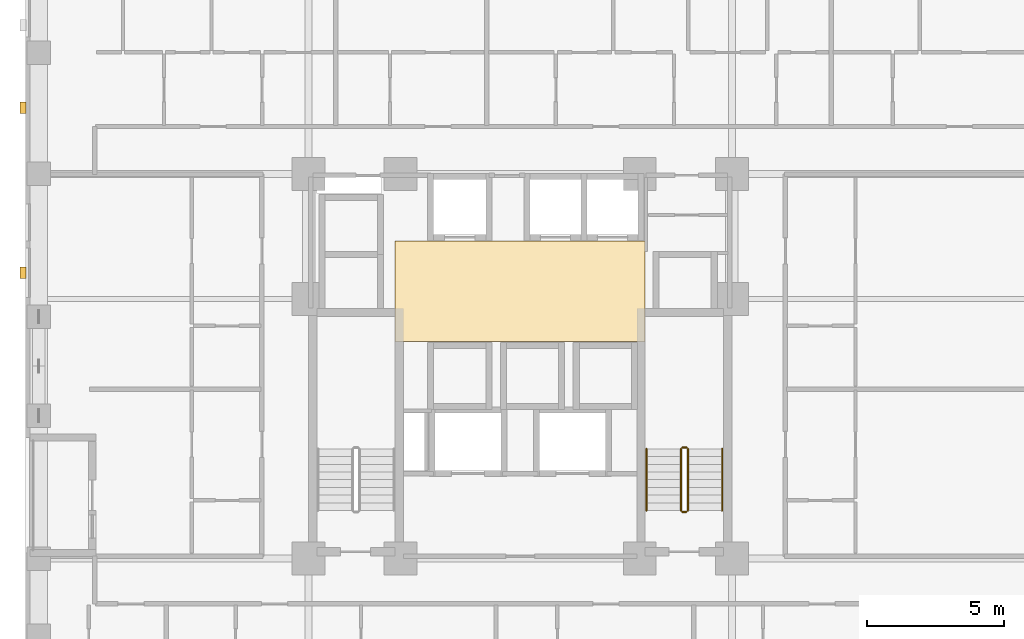
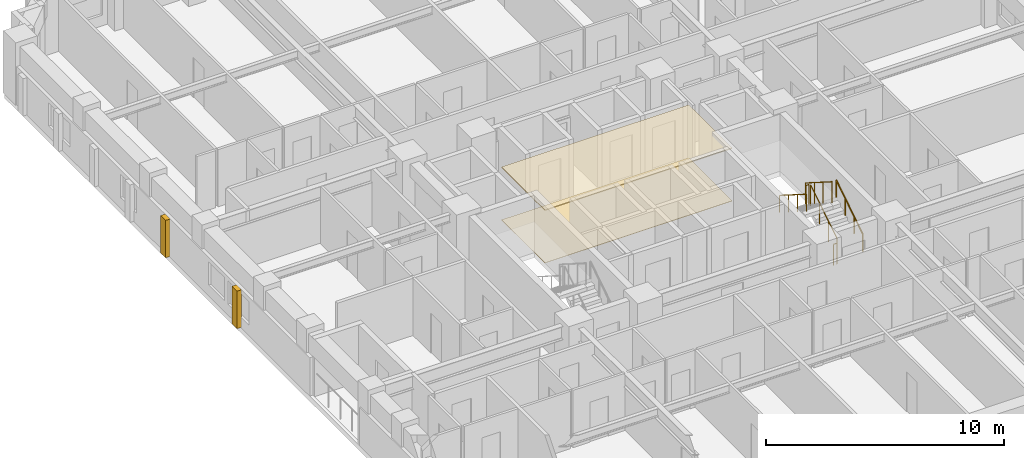
# One storey, part 13 of 14: 6 railings, 4 coverings.
"""IFC4 building model written with IfcOpenShell, lengths in metres."""

from ifc_helpers import new_model, si_unit, derived_unit, direction, frame, origin, origin_2d, place, context, subcontext, project, spatial, polyline, rectangle, circle, outline, extrude, material, layer, layer_set, type_object, element, save


model = new_model("IFC4")

# Units and contexts
model_context = context("Model", 3, precision=1e-05, world=origin(), true_north=direction((0.0, 1.0)))
body_context = subcontext(model_context, "Body", "Model", "MODEL_VIEW")
ifc_project = project(units=[si_unit("LENGTHUNIT", "METRE"), si_unit("AREAUNIT", "SQUARE_METRE"), si_unit("VOLUMEUNIT", "CUBIC_METRE"), si_unit("PLANEANGLEUNIT", "RADIAN"), si_unit("MASSUNIT", "GRAM", prefix="KILO"), derived_unit("THERMALTRANSMITTANCEUNIT", [(si_unit("MASSUNIT", "GRAM", prefix="KILO"), 1), (si_unit("TIMEUNIT", "SECOND"), -3), (si_unit("THERMODYNAMICTEMPERATUREUNIT", "KELVIN"), -1)])], contexts=[model_context])

# Site, building, storey
site_placement = place(None, origin())
site = spatial("IfcSite", under=ifc_project, at=site_placement, CompositionType="ELEMENT")
building_placement = place(site_placement, origin())
building = spatial("IfcBuilding", under=site, at=building_placement, Name="Korrvale Station Residences", CompositionType="ELEMENT")
storey_placement = place(building_placement, frame((0.0, 0.0, 57.800048828125)))
storey = spatial("IfcBuildingStorey", under=building, at=storey_placement, Name="L15", CompositionType="ELEMENT", Elevation=57.800048828125)

# Coverings
ifc_material_1 = material(Name="Perforated acoustic mineral-fibre suspended ceiling", Category="gypsum")
ifc_layer_1 = layer(ifc_material_1, 0.050048828125, Name="Perforated acoustic mineral-fibre suspended ceiling")
ifc_layer_set_1 = layer_set([ifc_layer_1], Name="Perforated acoustic mineral-fibre suspended ceiling")
covering_type_1 = type_object("IfcCoveringType", Name="COV-CLG-AC60", PredefinedType="CEILING", material=ifc_layer_set_1)
covering_1_placement = place(storey_placement, frame((0.0, 0.0, 2.68994140625)))
element("IfcCovering", 1, at=covering_1_placement, inside=storey, type_object=covering_type_1, Name="L15 Elevator Lobby Acoustic Ceiling", PredefinedType="CEILING", context=body_context, shape_type="SweptSolid", body=[
    extrude(outline(polyline([(20.949951171875, 22.89990234375), (30.050048828125, 22.89990234375), (30.050048828125, 26.550048828125), (20.949951171875, 26.550048828125), (20.949951171875, 22.89990234375)])), origin(), (0.0, 0.0, 1.0), 0.050048828125),
])
ifc_material_2 = material(Name="Polished quartz-terrazzo lobby flooring", Category="masonry")
ifc_layer_2 = layer(ifc_material_2, 0.02001953125, Name="Polished quartz-terrazzo lobby flooring")
ifc_layer_set_2 = layer_set([ifc_layer_2], Name="Polished quartz-terrazzo lobby flooring")
covering_type_2 = type_object("IfcCoveringType", Name="COV-FLR-TER20", PredefinedType="FLOORING", material=ifc_layer_set_2)
covering_2_placement = place(storey_placement, origin())
element("IfcCovering", 2, at=covering_2_placement, inside=storey, type_object=covering_type_2, Name="L15 Elevator Lobby Terrazzo Flooring", PredefinedType="FLOORING", context=body_context, shape_type="SweptSolid", body=[
    extrude(outline(polyline([(20.949951171875, 22.89990234375), (30.050048828125, 22.89990234375), (30.050048828125, 26.550048828125), (20.949951171875, 26.550048828125), (20.949951171875, 22.89990234375)])), origin(), (0.0, 0.0, 1.0), 0.02001953125),
])
ifc_material_3 = material(Name="Architectural precast concrete C45/55", Category="concrete")
ifc_layer_3 = layer(ifc_material_3, 0.219970703125, Name="Architectural precast concrete C45/55")
ifc_layer_set_3 = layer_set([ifc_layer_3], Name="Architectural precast concrete C45/55")
covering_type_3 = type_object("IfcCoveringType", Name="COV-PIER-400", PredefinedType="CLADDING", material=ifc_layer_set_3)
for number, where, z_axis, x_axis, name in (
    (3, (7.409912109375, 25.39990234375, 0.02490234375), (0.0, 0.0, 1.0), (0.0, 1.0, 0.0), "L15 Architectural Precast Facade Pier 13"),
    (4, (7.409912109375, 31.39990234375, 0.02490234375), (0.0, 0.0, 1.0), (0.0, 1.0, 0.0), "L15 Architectural Precast Facade Pier 14"),
):
    element("IfcCovering", number, at=place(storey_placement, frame(where, z_axis=z_axis, x_axis=x_axis)), inside=storey, type_object=covering_type_3, Name=name, PredefinedType="CLADDING", context=body_context, shape_type="SweptSolid", body=[
        extrude(rectangle(XDim=0.419921875, YDim=0.219970703125, at=origin_2d()), origin(), (0.0, 0.0, 1.0), 1.925048828125),
    ])

# Railings
ifc_material_4 = material(Name="Brushed stainless-steel continuous stair handrail", Category="steel")
railing_type_1 = type_object("IfcRailingType", Name="RLG-SHND-900", PredefinedType="HANDRAIL", material=ifc_material_4)
railing_1_placement = place(storey_placement, frame((32.85009765625, 16.75, 0.177734375)))
element("IfcRailing", 5, at=railing_1_placement, inside=storey, type_object=railing_type_1, Name="L15 ST-2 stair handrail 1", PredefinedType="HANDRAIL", context=body_context, shape_type="SweptSolid", body=[
    extrude(circle(Radius=0.02392578125, at=origin_2d()), frame((0.0, 0.0, 0.8759765625), z_axis=(0.0, 0.8442293374, 0.53598211339), x_axis=(-1.0, 0.0, 0.0)), (0.0, 0.0, 1.0), 2.6533203125),
    extrude(circle(Radius=0.02099609375, at=origin_2d()), origin(), (0.0, 0.0, 1.0), 0.851806640625),
    extrude(circle(Radius=0.02099609375, at=origin_2d()), frame((0.0, 0.74658203125, 0.47412109375)), (0.0, 0.0, 1.0), 0.851806640625),
    extrude(circle(Radius=0.02099609375, at=origin_2d()), frame((0.0, 1.493408203125, 0.947998046875)), (0.0, 0.0, 1.0), 0.851806640625),
    extrude(circle(Radius=0.02099609375, at=origin_2d()), frame((0.0, 2.239990234375, 1.422119140625)), (0.0, 0.0, 1.0), 0.851806640625),
])
railing_2_placement = place(storey_placement, frame((30.10009765625, 18.989990234375, 1.77783203125)))
element("IfcRailing", 6, at=railing_2_placement, inside=storey, type_object=railing_type_1, Name="L15 ST-2 stair handrail 2", PredefinedType="HANDRAIL", context=body_context, shape_type="SweptSolid", body=[
    extrude(circle(Radius=0.02392578125, at=origin_2d()), frame((0.0, 0.0, 0.8759765625), z_axis=(0.0, -0.8442293374, 0.53598211339), x_axis=(1.0, 0.0, 0.0)), (0.0, 0.0, 1.0), 2.6533203125),
    extrude(circle(Radius=0.02099609375, at=origin_2d()), origin(), (0.0, 0.0, 1.0), 0.851806640625),
    extrude(circle(Radius=0.02099609375, at=origin_2d()), frame((0.0, -0.74658203125, 0.47412109375)), (0.0, 0.0, 1.0), 0.851806640625),
    extrude(circle(Radius=0.02099609375, at=origin_2d()), frame((0.0, -1.493408203125, 0.947998046875)), (0.0, 0.0, 1.0), 0.851806640625),
    extrude(circle(Radius=0.02099609375, at=origin_2d()), frame((0.0, -2.239990234375, 1.422119140625)), (0.0, 0.0, 1.0), 0.851806640625),
])
ifc_material_5 = material(Name="Galvanised painted tubular steel stair guard", Category="steel")
railing_type_2 = type_object("IfcRailingType", Name="RLG-STR-1100", PredefinedType="GUARDRAIL", material=ifc_material_5)
railing_3_placement = place(storey_placement, frame((31.60009765625, 16.75, 0.177734375)))
element("IfcRailing", 7, at=railing_3_placement, inside=storey, type_object=railing_type_2, Name="L15 ST-2 stair guard 1", PredefinedType="GUARDRAIL", context=body_context, shape_type="SweptSolid", body=[
    extrude(circle(Radius=0.02392578125, at=origin_2d()), frame((0.0, 0.0, 1.076171875), z_axis=(0.0, 0.8442293374, 0.53598211339), x_axis=(-1.0, 0.0, 0.0)), (0.0, 0.0, 1.0), 2.6533203125),
    extrude(circle(Radius=0.02099609375, at=origin_2d()), origin(), (0.0, 0.0, 1.0), 1.052001953125),
    extrude(circle(Radius=0.02099609375, at=origin_2d()), frame((0.0, 0.74658203125, 0.47412109375)), (0.0, 0.0, 1.0), 1.052001953125),
    extrude(circle(Radius=0.02099609375, at=origin_2d()), frame((0.0, 1.493408203125, 0.947998046875)), (0.0, 0.0, 1.0), 1.052001953125),
    extrude(circle(Radius=0.02099609375, at=origin_2d()), frame((0.0, 2.239990234375, 1.422119140625)), (0.0, 0.0, 1.0), 1.052001953125),
])
railing_4_placement = place(storey_placement, frame((31.550048828125, 19.0400390625, 1.599853515625)))
element("IfcRailing", 8, at=railing_4_placement, inside=storey, type_object=railing_type_2, Name="L15 ST-2 stair guard 2", PredefinedType="GUARDRAIL", context=body_context, shape_type="SweptSolid", body=[
    extrude(circle(Radius=0.02392578125, at=origin_2d()), frame((0.0, 0.0, 1.076171875), z_axis=(-1.0, 0.0, 0.0), x_axis=(0.0, -1.0, 0.0)), (0.0, 0.0, 1.0), 0.150146484375),
    extrude(circle(Radius=0.02099609375, at=origin_2d()), origin(), (0.0, 0.0, 1.0), 1.052001953125),
    extrude(circle(Radius=0.02099609375, at=origin_2d()), frame((-0.150146484375, 0.0, 0.0)), (0.0, 0.0, 1.0), 1.052001953125),
])
railing_5_placement = place(storey_placement, frame((31.35009765625, 18.989990234375, 1.77783203125)))
element("IfcRailing", 9, at=railing_5_placement, inside=storey, type_object=railing_type_2, Name="L15 ST-2 stair guard 3", PredefinedType="GUARDRAIL", context=body_context, shape_type="SweptSolid", body=[
    extrude(circle(Radius=0.02392578125, at=origin_2d()), frame((0.0, 0.0, 1.076171875), z_axis=(0.0, -0.8442293374, 0.53598211339), x_axis=(1.0, 0.0, 0.0)), (0.0, 0.0, 1.0), 2.6533203125),
    extrude(circle(Radius=0.02099609375, at=origin_2d()), origin(), (0.0, 0.0, 1.0), 1.052001953125),
    extrude(circle(Radius=0.02099609375, at=origin_2d()), frame((0.0, -0.74658203125, 0.47412109375)), (0.0, 0.0, 1.0), 1.052001953125),
    extrude(circle(Radius=0.02099609375, at=origin_2d()), frame((0.0, -1.493408203125, 0.947998046875)), (0.0, 0.0, 1.0), 1.052001953125),
    extrude(circle(Radius=0.02099609375, at=origin_2d()), frame((0.0, -2.239990234375, 1.422119140625)), (0.0, 0.0, 1.0), 1.052001953125),
])
railing_6_placement = place(storey_placement, frame((31.550048828125, 16.699951171875, 0.0)))
element("IfcRailing", 10, at=railing_6_placement, inside=storey, type_object=railing_type_2, Name="L15 ST-2 stair guard 4", PredefinedType="GUARDRAIL", context=body_context, shape_type="SweptSolid", body=[
    extrude(circle(Radius=0.02392578125, at=origin_2d()), frame((0.0, 0.0, 1.076171875), z_axis=(-1.0, 0.0, 0.0), x_axis=(0.0, -1.0, 0.0)), (0.0, 0.0, 1.0), 0.150146484375),
    extrude(circle(Radius=0.02099609375, at=origin_2d()), origin(), (0.0, 0.0, 1.0), 1.052001953125),
    extrude(circle(Radius=0.02099609375, at=origin_2d()), frame((-0.150146484375, 0.0, 0.0)), (0.0, 0.0, 1.0), 1.052001953125),
])

save(model, "model.ifc")
